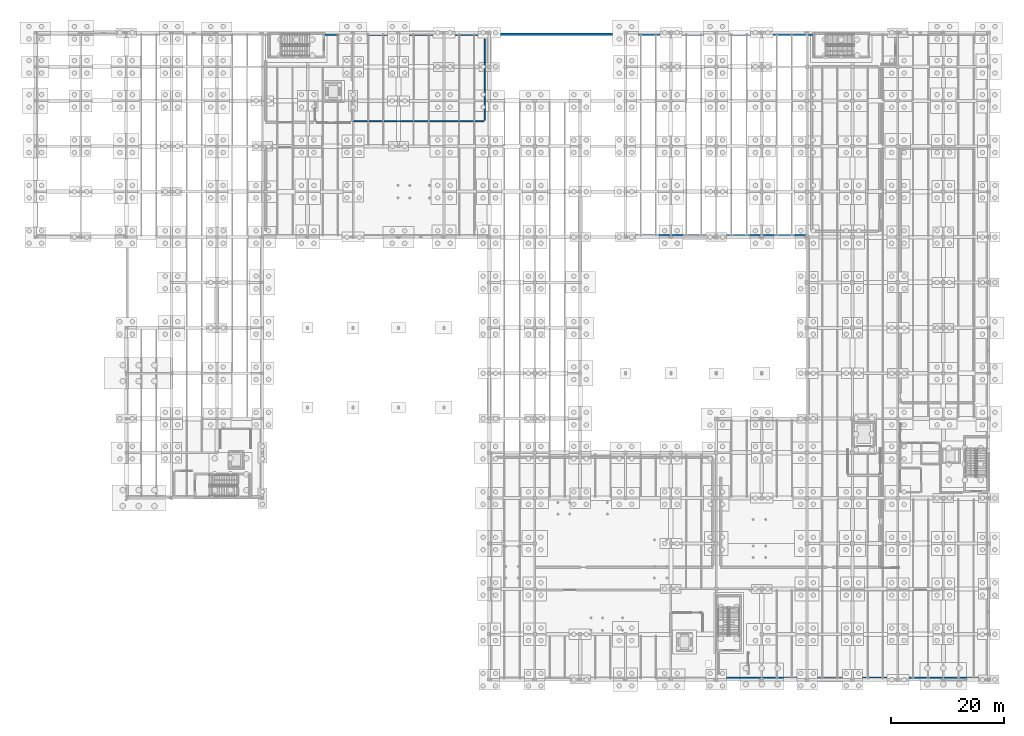
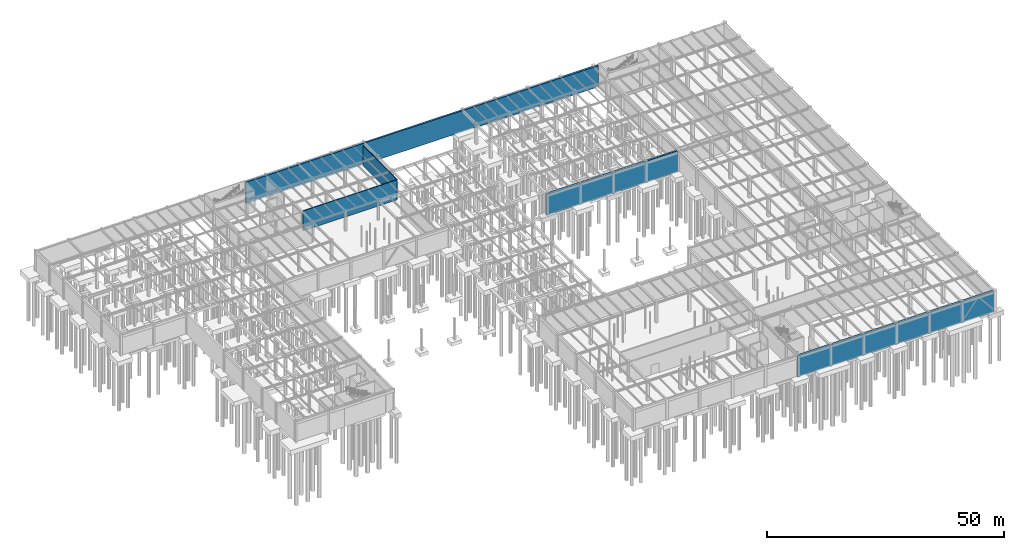
# One storey, part 56 of 71: 5 walls.
"""IFC4 building model written with IfcOpenShell, lengths in metres."""

from ifc_helpers import new_model, si_unit, direction, frame, frame_2d, origin, place, context, subcontext, project, spatial, rectangle, extrude, material, layer, layer_set, type_object, element, save


model = new_model("IFC4")

# Units and contexts
model_context = context("Model", 3, precision=1e-05, world=origin(), true_north=direction((0.0, 1.0)))
body_context = subcontext(model_context, "Body", "Model", "MODEL_VIEW")
ifc_project = project(units=[si_unit("LENGTHUNIT", "METRE"), si_unit("AREAUNIT", "SQUARE_METRE"), si_unit("VOLUMEUNIT", "CUBIC_METRE"), si_unit("PLANEANGLEUNIT", "RADIAN"), si_unit("MASSUNIT", "GRAM", prefix="KILO")], contexts=[model_context])

# Site, building, storey
site_placement = place(None, origin())
site = spatial("IfcSite", under=ifc_project, at=site_placement, CompositionType="ELEMENT")
building_placement = place(site_placement, origin())
building = spatial("IfcBuilding", under=site, at=building_placement, Name="Sundkrona Museum", CompositionType="ELEMENT")
storey_placement = place(building_placement, frame((0.0, 0.0, -5.39990234375)))
storey = spatial("IfcBuildingStorey", under=building, at=storey_placement, Name="B1", CompositionType="ELEMENT", Elevation=-5.39990234375)

# Walls
ifc_material_1 = material(Name="Moisture-resistant Tile Partition 200 mm", Category="other")
ifc_layer_1 = layer(ifc_material_1, 0.199951171875)
ifc_layer_set_1 = layer_set([ifc_layer_1], Name="Moisture-resistant Tile Partition 200 mm")
wall_type_1 = type_object("IfcWallType", Name="W-PT-200", PredefinedType="PARTITIONING", material=ifc_layer_set_1)
wall_1_placement = place(storey_placement, frame((56.14990234375, 98.39990234375, 0.0), z_axis=(0.0, 0.0, 1.0), x_axis=(1.0, 0.0, 0.0)))
element("IfcWall", 1, at=wall_1_placement, inside=storey, type_object=wall_type_1, Name="B1 Archival Box Preparation Room Enclosure Wall S", PredefinedType="PARTITIONING", context=body_context, shape_type="SweptSolid", body=[
    extrude(rectangle(XDim=22.900146484375, YDim=0.199951171875, at=frame_2d((11.4501953125, 0.0))), origin(), (0.0, 0.0, 1.0), 5.159912109375),
])
wall_2_placement = place(storey_placement, frame((79.199951171875, 98.550048828125, 0.0), z_axis=(0.0, 0.0, 1.0), x_axis=(0.0, 1.0, 0.0)))
element("IfcWall", 2, at=wall_2_placement, inside=storey, type_object=wall_type_1, Name="B1 Archival Box Preparation Room Enclosure Wall E", PredefinedType="PARTITIONING", context=body_context, shape_type="SweptSolid", body=[
    extrude(rectangle(XDim=14.300048828125, YDim=0.199951171875, at=frame_2d((7.14990234375, 0.0))), origin(), (0.0, 0.0, 1.0), 5.159912109375),
])
ifc_material_2 = material(Name="Concrete C40/50", Category="concrete")
ifc_layer_2 = layer(ifc_material_2, 0.449951171875)
ifc_layer_set_2 = layer_set([ifc_layer_2], Name="Concrete C40/50")
wall_type_2 = type_object("IfcWallType", Name="W-RET-450", PredefinedType="USERDEFINED", material=ifc_layer_set_2)
wall_3_placement = place(storey_placement, frame((120.0, 0.22509765625, -0.400146484375), z_axis=(0.0, 0.0, 1.0), x_axis=(1.0, 0.0, 0.0)))
element("IfcWall", 3, at=wall_3_placement, inside=storey, type_object=wall_type_2, Name="Basement Retaining Wall 01", ObjectType="RETAININGWALL", PredefinedType="USERDEFINED", context=body_context, shape_type="SweptSolid", body=[
    extrude(rectangle(XDim=47.77490234375, YDim=0.449951171875, at=frame_2d((23.887451171875, 0.0))), origin(), (0.0, 0.0, 1.0), 5.5),
])
wall_4_placement = place(storey_placement, frame((51.06005859375, 113.77490234375, -0.400146484375), z_axis=(0.0, 0.0, 1.0), x_axis=(1.0, 0.0, 0.0)))
element("IfcWall", 4, at=wall_4_placement, inside=storey, type_object=wall_type_2, Name="Basement Retaining Wall 05", ObjectType="RETAININGWALL", PredefinedType="USERDEFINED", context=body_context, shape_type="SweptSolid", body=[
    extrude(rectangle(XDim=85.8798828125, YDim=0.449951171875, at=frame_2d((42.93994140625, 0.0))), origin(), (0.0, 0.0, 1.0), 5.5),
])
wall_5_placement = place(storey_placement, frame((103.77490234375, 78.22509765625, -0.400146484375), z_axis=(0.0, 0.0, 1.0), x_axis=(1.0, 0.0, 0.0)))
element("IfcWall", 5, at=wall_5_placement, inside=storey, type_object=wall_type_2, Name="Basement Retaining Wall 16", ObjectType="RETAININGWALL", PredefinedType="USERDEFINED", context=body_context, shape_type="SweptSolid", body=[
    extrude(rectangle(XDim=32.0, YDim=0.449951171875, at=frame_2d((16.0, 0.0))), origin(), (0.0, 0.0, 1.0), 5.5),
])

save(model, "model.ifc")
